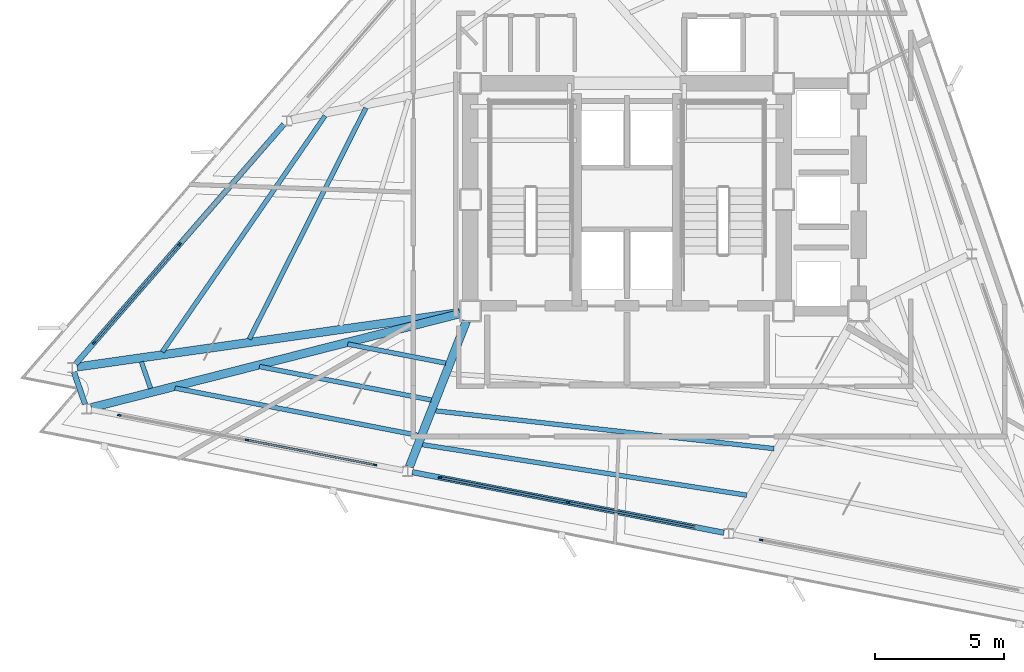
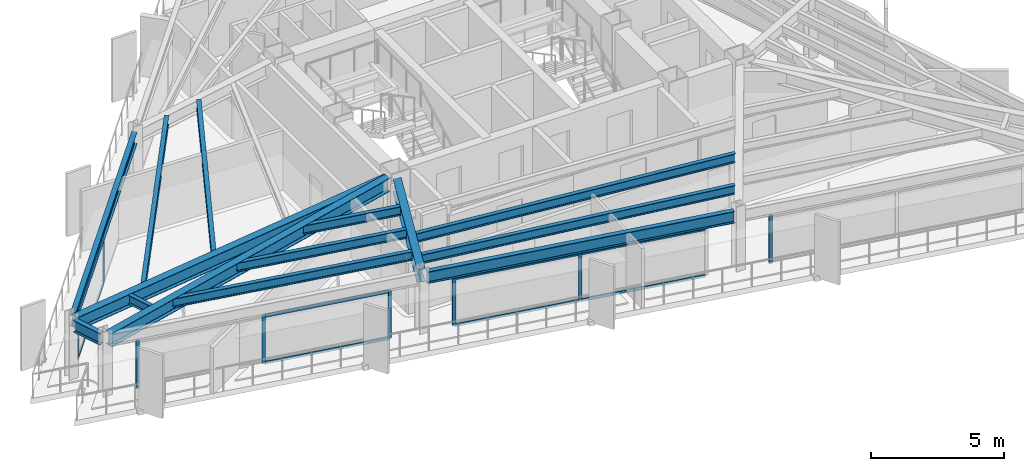
# One storey, part 2 of 13: 16 members, 14 beams, 4 elements without a shape of their own.
"""IFC4 building model written with IfcOpenShell, lengths in metres."""

from ifc_helpers import new_model, si_unit, direction, frame, origin, origin_2d, place, context, subcontext, project, spatial, rectangle, i_section, extrude, material, layer, layer_set, material_profile, profile_set, type_object, element, aggregate, save


model = new_model("IFC4")

# Units and contexts
model_context = context("Model", 3, precision=1e-05, world=origin(), true_north=direction((0.0, 1.0)))
body_context = subcontext(model_context, "Body", "Model", "MODEL_VIEW")
ifc_project = project(units=[si_unit("LENGTHUNIT", "METRE"), si_unit("AREAUNIT", "SQUARE_METRE"), si_unit("VOLUMEUNIT", "CUBIC_METRE"), si_unit("PLANEANGLEUNIT", "RADIAN"), si_unit("MASSUNIT", "GRAM", prefix="KILO")], contexts=[model_context])

# Site, building, storey
site_placement = place(None, origin())
site = spatial("IfcSite", under=ifc_project, at=site_placement, CompositionType="ELEMENT")
building_placement = place(site_placement, origin())
building = spatial("IfcBuilding", under=site, at=building_placement, Name="Rocaltana Carrier Exchange", CompositionType="ELEMENT")
storey_placement = place(building_placement, frame((0.0, 0.0, 162.39990234375)))
storey = spatial("IfcBuildingStorey", under=building, at=storey_placement, Name="L51", CompositionType="ELEMENT", Elevation=162.39990234375)

# Curtain wall, members
ifc_material_1 = material(Name="Aluminium 6063-T6", Category="aluminium")
ifc_layer = layer(ifc_material_1, 0.135009765625)
ifc_layer_set = layer_set([ifc_layer], Name="Aluminium 6063-T6")
curtain_wall_type = type_object("IfcCurtainWallType", Name="Upper-Mid Acoustic Curtain Wall CW-04", PredefinedType="NOTDEFINED", material=ifc_layer_set)
curtain_wall_1_placement = place(storey_placement, origin())
curtain_wall_1 = element("IfcCurtainWall", 1, at=curtain_wall_1_placement, inside=storey, type_object=curtain_wall_type, Name="L51 CW-04 Run CW-L51-F2S3", PredefinedType="NOTDEFINED")
ifc_material_2 = material(Name="Aluminium 6063-T6", Category="aluminium")
ifc_material_profile_1 = material_profile(ifc_material_2, rectangle(XDim=0.06494140625, YDim=0.135009765625, at=origin_2d()), Name="AL-65X135")
ifc_profile_set_1 = profile_set([ifc_material_profile_1], Name="Aluminium 6063-T6")
member_type_1 = type_object("IfcMemberType", Name="CW-04 Mullion AL-65X135", PredefinedType="MULLION", material=ifc_profile_set_1)
member_1_placement = place(storey_placement, frame((-17.279541015625, -1.718505859375, 0.0), z_axis=(0.0, 0.0, 1.0), x_axis=(0.75471173919, -0.656056545375, 0.0)))
member_1 = element("IfcMember", 2, at=member_1_placement, type_object=member_type_1, Name="CW-04 mullion 2", PredefinedType="MULLION", context=body_context, shape_type="SweptSolid", body=[
    extrude(rectangle(XDim=0.06494140625, YDim=0.135009765625, at=origin_2d()), origin(), (0.0, 0.0, 1.0), 2.218017578125),
])
member_2_placement = place(storey_placement, frame((-20.582275390625, -5.517822265625, 0.0), z_axis=(0.0, 0.0, 1.0), x_axis=(0.75471173919, -0.656056545375, 0.0)))
member_2 = element("IfcMember", 3, at=member_2_placement, type_object=member_type_1, Name="CW-04 mullion 3", PredefinedType="MULLION", context=body_context, shape_type="SweptSolid", body=[
    extrude(rectangle(XDim=0.06494140625, YDim=0.135009765625, at=origin_2d()), origin(), (0.0, 0.0, 1.0), 2.218017578125),
])

curtain_wall_2_placement = place(storey_placement, origin())
curtain_wall_2 = element("IfcCurtainWall", 4, at=curtain_wall_2_placement, inside=storey, type_object=curtain_wall_type, Name="L51 CW-04 Run CW-L51-F3S1", PredefinedType="NOTDEFINED")
member_3_placement = place(storey_placement, frame((-19.6162109375, -8.323486328125, 0.0), z_axis=(0.0, 0.0, 1.0), x_axis=(0.190803361378, 0.981628278569, 0.0)))
member_3 = element("IfcMember", 5, at=member_3_placement, type_object=member_type_1, Name="CW-04 mullion 1", PredefinedType="MULLION", context=body_context, shape_type="SweptSolid", body=[
    extrude(rectangle(XDim=0.06494140625, YDim=0.135009765625, at=origin_2d()), origin(), (0.0, 0.0, 1.0), 2.218017578125),
])
member_4_placement = place(storey_placement, frame((-14.674560546875, -9.2841796875, 0.0), z_axis=(0.0, 0.0, 1.0), x_axis=(0.190803361378, 0.981628278569, 0.0)))
member_4 = element("IfcMember", 6, at=member_4_placement, type_object=member_type_1, Name="CW-04 mullion 2", PredefinedType="MULLION", context=body_context, shape_type="SweptSolid", body=[
    extrude(rectangle(XDim=0.06494140625, YDim=0.135009765625, at=origin_2d()), origin(), (0.0, 0.0, 1.0), 2.218017578125),
])
member_5_placement = place(storey_placement, frame((-9.732666015625, -10.24462890625, 0.0), z_axis=(0.0, 0.0, 1.0), x_axis=(0.190803361378, 0.981628278569, 0.0)))
member_5 = element("IfcMember", 7, at=member_5_placement, type_object=member_type_1, Name="CW-04 mullion 3", PredefinedType="MULLION", context=body_context, shape_type="SweptSolid", body=[
    extrude(rectangle(XDim=0.06494140625, YDim=0.135009765625, at=origin_2d()), origin(), (0.0, 0.0, 1.0), 2.218017578125),
])

curtain_wall_3_placement = place(storey_placement, origin())
curtain_wall_3 = element("IfcCurtainWall", 8, at=curtain_wall_3_placement, inside=storey, type_object=curtain_wall_type, Name="L51 CW-04 Run CW-L51-F3S2", PredefinedType="NOTDEFINED")
member_6_placement = place(storey_placement, frame((-7.21484375, -10.734130859375, 0.0), z_axis=(0.0, 0.0, 1.0), x_axis=(0.190814718784, 0.981626070913, 0.0)))
member_6 = element("IfcMember", 9, at=member_6_placement, type_object=member_type_1, Name="CW-04 mullion 1", PredefinedType="MULLION", context=body_context, shape_type="SweptSolid", body=[
    extrude(rectangle(XDim=0.06494140625, YDim=0.135009765625, at=origin_2d()), origin(), (0.0, 0.0, 1.0), 2.218017578125),
])
member_7_placement = place(storey_placement, frame((-2.273193359375, -11.694580078125, 0.0), z_axis=(0.0, 0.0, 1.0), x_axis=(0.190814718784, 0.981626070913, 0.0)))
member_7 = element("IfcMember", 10, at=member_7_placement, type_object=member_type_1, Name="CW-04 mullion 2", PredefinedType="MULLION", context=body_context, shape_type="SweptSolid", body=[
    extrude(rectangle(XDim=0.06494140625, YDim=0.135009765625, at=origin_2d()), origin(), (0.0, 0.0, 1.0), 2.218017578125),
])

# Curtain wall, member
curtain_wall_4_placement = place(storey_placement, origin())
curtain_wall_4 = element("IfcCurtainWall", 11, at=curtain_wall_4_placement, inside=storey, type_object=curtain_wall_type, Name="L51 CW-04 Run CW-L51-F3S3", PredefinedType="NOTDEFINED")
member_8_placement = place(storey_placement, frame((5.186279296875, -13.144775390625, 0.0), z_axis=(0.0, 0.0, 1.0), x_axis=(0.190805209699, 0.981627919301, 0.0)))
member_8 = element("IfcMember", 12, at=member_8_placement, type_object=member_type_1, Name="CW-04 mullion 1", PredefinedType="MULLION", context=body_context, shape_type="SweptSolid", body=[
    extrude(rectangle(XDim=0.06494140625, YDim=0.135009765625, at=origin_2d()), origin(), (0.0, 0.0, 1.0), 2.218017578125),
])
aggregate(curtain_wall_4, [member_8])

# Member
ifc_material_3 = material(Name="Aluminium 6063-T6", Category="aluminium")
ifc_material_profile_2 = material_profile(ifc_material_3, rectangle(XDim=0.06494140625, YDim=0.135009765625, at=origin_2d()), Name="AL-65X135")
ifc_profile_set_2 = profile_set([ifc_material_profile_2], Name="Aluminium 6063-T6")
member_type_2 = type_object("IfcMemberType", Name="CW-04 Transom AL-65X135", PredefinedType="USERDEFINED", material=ifc_profile_set_2)
member_9_placement = place(storey_placement, frame((-17.30078125, -1.742919921875, 0.03271484375), z_axis=(-0.656055850486, -0.754712343243, 0.0), x_axis=(0.754712343243, -0.656055850486, 0.0)))
member_9 = element("IfcMember", 13, at=member_9_placement, type_object=member_type_2, Name="CW-04 transom 2.1", ObjectType="TRANSOM", PredefinedType="USERDEFINED", context=body_context, shape_type="SweptSolid", body=[
    extrude(rectangle(XDim=0.06494140625, YDim=0.135009765625, at=origin_2d()), origin(), (0.0, 0.0, 1.0), 4.968994140625),
])

member_10_placement = place(storey_placement, frame((-17.30078125, -1.742919921875, 2.185546875), z_axis=(-0.656055850486, -0.754712343243, 0.0), x_axis=(0.754712343243, -0.656055850486, 0.0)))
member_10 = element("IfcMember", 14, at=member_10_placement, type_object=member_type_2, Name="CW-04 transom 2.2", ObjectType="TRANSOM", PredefinedType="USERDEFINED", context=body_context, shape_type="SweptSolid", body=[
    extrude(rectangle(XDim=0.06494140625, YDim=0.135009765625, at=origin_2d()), origin(), (0.0, 0.0, 1.0), 4.968994140625),
])

aggregate(curtain_wall_1, [member_1, member_2, member_9, member_10])

member_11_placement = place(storey_placement, frame((-14.642578125, -9.290283203125, 0.03271484375), z_axis=(0.981624593621, -0.1908223184, 0.0), x_axis=(0.1908223184, 0.981624593621, 0.0)))
member_11 = element("IfcMember", 15, at=member_11_placement, type_object=member_type_2, Name="CW-04 transom 2.1", ObjectType="TRANSOM", PredefinedType="USERDEFINED", context=body_context, shape_type="SweptSolid", body=[
    extrude(rectangle(XDim=0.06494140625, YDim=0.135009765625, at=origin_2d()), origin(), (0.0, 0.0, 1.0), 4.96923828125),
])

member_12_placement = place(storey_placement, frame((-14.642578125, -9.290283203125, 2.185546875), z_axis=(0.981624593621, -0.1908223184, 0.0), x_axis=(0.1908223184, 0.981624593621, 0.0)))
member_12 = element("IfcMember", 16, at=member_12_placement, type_object=member_type_2, Name="CW-04 transom 2.2", ObjectType="TRANSOM", PredefinedType="USERDEFINED", context=body_context, shape_type="SweptSolid", body=[
    extrude(rectangle(XDim=0.06494140625, YDim=0.135009765625, at=origin_2d()), origin(), (0.0, 0.0, 1.0), 4.96923828125),
])

aggregate(curtain_wall_2, [member_3, member_4, member_5, member_11, member_12])

member_13_placement = place(storey_placement, frame((-7.18310546875, -10.740234375, 0.03271484375), z_axis=(0.981624593621, -0.1908223184, 0.0), x_axis=(0.1908223184, 0.981624593621, 0.0)))
member_13 = element("IfcMember", 17, at=member_13_placement, type_object=member_type_2, Name="CW-04 transom 1.1", ObjectType="TRANSOM", PredefinedType="USERDEFINED", context=body_context, shape_type="SweptSolid", body=[
    extrude(rectangle(XDim=0.06494140625, YDim=0.135009765625, at=origin_2d()), origin(), (0.0, 0.0, 1.0), 4.96923828125),
])

member_14_placement = place(storey_placement, frame((-7.18310546875, -10.740234375, 2.185546875), z_axis=(0.981624593621, -0.1908223184, 0.0), x_axis=(0.1908223184, 0.981624593621, 0.0)))
member_14 = element("IfcMember", 18, at=member_14_placement, type_object=member_type_2, Name="CW-04 transom 1.2", ObjectType="TRANSOM", PredefinedType="USERDEFINED", context=body_context, shape_type="SweptSolid", body=[
    extrude(rectangle(XDim=0.06494140625, YDim=0.135009765625, at=origin_2d()), origin(), (0.0, 0.0, 1.0), 4.96923828125),
])

member_15_placement = place(storey_placement, frame((-2.2412109375, -11.700927734375, 0.03271484375), z_axis=(0.9816228045, -0.190831521732, 0.0), x_axis=(0.190831521732, 0.9816228045, 0.0)))
member_15 = element("IfcMember", 19, at=member_15_placement, type_object=member_type_2, Name="CW-04 transom 2.1", ObjectType="TRANSOM", PredefinedType="USERDEFINED", context=body_context, shape_type="SweptSolid", body=[
    extrude(rectangle(XDim=0.06494140625, YDim=0.135009765625, at=origin_2d()), origin(), (0.0, 0.0, 1.0), 4.968994140625),
])

member_16_placement = place(storey_placement, frame((-2.2412109375, -11.700927734375, 2.185546875), z_axis=(0.9816228045, -0.190831521732, 0.0), x_axis=(0.190831521732, 0.9816228045, 0.0)))
member_16 = element("IfcMember", 20, at=member_16_placement, type_object=member_type_2, Name="CW-04 transom 2.2", ObjectType="TRANSOM", PredefinedType="USERDEFINED", context=body_context, shape_type="SweptSolid", body=[
    extrude(rectangle(XDim=0.06494140625, YDim=0.135009765625, at=origin_2d()), origin(), (0.0, 0.0, 1.0), 4.968994140625),
])

aggregate(curtain_wall_3, [member_6, member_7, member_13, member_14, member_15, member_16])

# Beams
ifc_material_4 = material(Name="Steel S355", Category="steel")
ifc_material_profile_3 = material_profile(ifc_material_4, i_section(OverallWidth=0.179931640625, OverallDepth=0.4130859375, WebThickness=0.009765625, FlangeThickness=0.01611328125, FilletRadius=0.012939453125, at=origin_2d()), Name="W16X50")
ifc_profile_set_3 = profile_set([ifc_material_profile_3], Name="Steel S355")
beam_type_1 = type_object("IfcBeamType", Name="Floor Joist W16X50", PredefinedType="JOIST", material=ifc_profile_set_3)
beam_1_placement = place(storey_placement, frame((-10.087890625, 3.548095703125, 2.58154296875), z_axis=(-0.449993841854, -0.893031658058, 0.0), x_axis=(0.893031658058, -0.449993841854, 0.0)))
element("IfcBeam", 21, at=beam_1_placement, inside=storey, type_object=beam_type_1, Name="FJ-L51-07-2", PredefinedType="JOIST", context=body_context, shape_type="SweptSolid", body=[
    extrude(i_section(OverallWidth=0.179931640625, OverallDepth=0.4130859375, WebThickness=0.009765625, FlangeThickness=0.01611328125, FilletRadius=0.012939453125, at=origin_2d()), origin(), (0.0, 0.0, 1.0), 10.0029296875),
])
beam_2_placement = place(storey_placement, frame((-11.665283203125, 3.239501953125, 2.58154296875), z_axis=(-0.567777260515, -0.823182229183, 0.0), x_axis=(0.823182229183, -0.567777260515, 0.0)))
element("IfcBeam", 22, at=beam_2_placement, inside=storey, type_object=beam_type_1, Name="FJ-L51-07-3", PredefinedType="JOIST", context=body_context, shape_type="SweptSolid", body=[
    extrude(i_section(OverallWidth=0.179931640625, OverallDepth=0.4130859375, WebThickness=0.009765625, FlangeThickness=0.01611328125, FilletRadius=0.012939453125, at=origin_2d()), origin(), (0.0, 0.0, 1.0), 11.073974609375),
])
beam_3_placement = place(storey_placement, frame((-18.75927734375, -6.26171875, 2.58154296875), z_axis=(0.32558209601, -0.945513775023, 0.0), x_axis=(0.945513775023, 0.32558209601, 0.0)))
element("IfcBeam", 23, at=beam_3_placement, inside=storey, type_object=beam_type_1, Name="FJ-L51-08-3", PredefinedType="JOIST", context=body_context, shape_type="SweptSolid", body=[
    extrude(i_section(OverallWidth=0.179931640625, OverallDepth=0.4130859375, WebThickness=0.009765625, FlangeThickness=0.01611328125, FilletRadius=0.012939453125, at=origin_2d()), origin(), (0.0, 0.0, 1.0), 1.08642578125),
])
beam_4_placement = place(storey_placement, frame((-10.7890625, -5.576904296875, 2.58154296875), z_axis=(0.981632516302, -0.190781558172, 0.0), x_axis=(0.190781558172, 0.981632516302, 0.0)))
element("IfcBeam", 24, at=beam_4_placement, inside=storey, type_object=beam_type_1, Name="FJ-L51-09-1", PredefinedType="JOIST", context=body_context, shape_type="SweptSolid", body=[
    extrude(i_section(OverallWidth=0.179931640625, OverallDepth=0.4130859375, WebThickness=0.009765625, FlangeThickness=0.01611328125, FilletRadius=0.012939453125, at=origin_2d()), origin(), (0.0, 0.0, 1.0), 3.85693359375),
])
beam_5_placement = place(storey_placement, frame((-14.198974609375, -6.44580078125, 2.58154296875), z_axis=(0.981623092211, -0.190830041758, 0.0), x_axis=(0.190830041758, 0.981623092211, 0.0)))
element("IfcBeam", 25, at=beam_5_placement, inside=storey, type_object=beam_type_1, Name="FJ-L51-09-2", PredefinedType="JOIST", context=body_context, shape_type="SweptSolid", body=[
    extrude(i_section(OverallWidth=0.179931640625, OverallDepth=0.4130859375, WebThickness=0.009765625, FlangeThickness=0.01611328125, FilletRadius=0.012939453125, at=origin_2d()), origin(), (0.0, 0.0, 1.0), 6.7626953125),
])
beam_6_placement = place(storey_placement, frame((-17.46044921875, -7.27734375, 2.58154296875), z_axis=(0.981630034489, -0.190794327456, 0.0), x_axis=(0.190794327456, 0.981630034489, 0.0)))
element("IfcBeam", 26, at=beam_6_placement, inside=storey, type_object=beam_type_1, Name="FJ-L51-09-3", PredefinedType="JOIST", context=body_context, shape_type="SweptSolid", body=[
    extrude(i_section(OverallWidth=0.179931640625, OverallDepth=0.4130859375, WebThickness=0.009765625, FlangeThickness=0.01611328125, FilletRadius=0.012939453125, at=origin_2d()), origin(), (0.0, 0.0, 1.0), 9.5419921875),
])
beam_7_placement = place(storey_placement, frame((-7.397705078125, -8.15478515625, 2.58154296875), z_axis=(0.993827043541, -0.110940558529, 0.0), x_axis=(0.110940558529, 0.993827043541, 0.0)))
element("IfcBeam", 27, at=beam_7_placement, inside=storey, type_object=beam_type_1, Name="FJ-L51-10-2", PredefinedType="JOIST", context=body_context, shape_type="SweptSolid", body=[
    extrude(i_section(OverallWidth=0.179931640625, OverallDepth=0.4130859375, WebThickness=0.009765625, FlangeThickness=0.01611328125, FilletRadius=0.012939453125, at=origin_2d()), origin(), (0.0, 0.0, 1.0), 13.159912109375),
])
beam_8_placement = place(storey_placement, frame((-7.90771484375, -9.461181640625, 2.58154296875), z_axis=(0.988080457821, -0.153938328148, 0.0), x_axis=(0.153938328148, 0.988080457821, 0.0)))
element("IfcBeam", 28, at=beam_8_placement, inside=storey, type_object=beam_type_1, Name="FJ-L51-10-3", PredefinedType="JOIST", context=body_context, shape_type="SweptSolid", body=[
    extrude(i_section(OverallWidth=0.179931640625, OverallDepth=0.4130859375, WebThickness=0.009765625, FlangeThickness=0.01611328125, FilletRadius=0.012939453125, at=origin_2d()), origin(), (0.0, 0.0, 1.0), 12.68603515625),
])
ifc_material_5 = material(Name="Steel S355", Category="steel")
ifc_material_profile_4 = material_profile(ifc_material_5, i_section(OverallWidth=0.323974609375, OverallDepth=0.611083984375, WebThickness=0.0126953125, FlangeThickness=0.01904296875, FilletRadius=0.01611328125, at=origin_2d()), Name="W24X104")
ifc_profile_set_4 = profile_set([ifc_material_profile_4], Name="Steel S355")
beam_type_2 = type_object("IfcBeamType", Name="Radial Girder W24X104", PredefinedType="BEAM", material=ifc_profile_set_4)
beam_9_placement = place(storey_placement, frame((-6.462890625, -4.358642578125, 2.482666015625), z_axis=(-0.990042513649, -0.140768679638, 0.0), x_axis=(0.140768679638, -0.990042513649, 0.0)))
element("IfcBeam", 29, at=beam_9_placement, inside=storey, type_object=beam_type_2, Name="RG-L51-08", PredefinedType="BEAM", context=body_context, shape_type="SweptSolid", body=[
    extrude(i_section(OverallWidth=0.323974609375, OverallDepth=0.611083984375, WebThickness=0.0126953125, FlangeThickness=0.01904296875, FilletRadius=0.01611328125, at=origin_2d()), origin(), (0.0, 0.0, 1.0), 14.92578125),
])
beam_10_placement = place(storey_placement, frame((-6.4541015625, -4.403076171875, 2.482666015625), z_axis=(-0.969014301438, -0.247004622644, 0.0), x_axis=(0.247004622644, -0.969014301438, 0.0)))
element("IfcBeam", 30, at=beam_10_placement, inside=storey, type_object=beam_type_2, Name="RG-L51-09", PredefinedType="BEAM", context=body_context, shape_type="SweptSolid", body=[
    extrude(i_section(OverallWidth=0.323974609375, OverallDepth=0.611083984375, WebThickness=0.0126953125, FlangeThickness=0.01904296875, FilletRadius=0.01611328125, at=origin_2d()), origin(), (0.0, 0.0, 1.0), 14.696533203125),
])
beam_11_placement = place(storey_placement, frame((-6.2021484375, -4.688232421875, 2.482666015625), z_axis=(-0.364639954238, -0.93114859382, 0.0), x_axis=(0.93114859382, -0.364639954238, 0.0)))
element("IfcBeam", 31, at=beam_11_placement, inside=storey, type_object=beam_type_2, Name="RG-L51-10", PredefinedType="BEAM", context=body_context, shape_type="SweptSolid", body=[
    extrude(i_section(OverallWidth=0.323974609375, OverallDepth=0.611083984375, WebThickness=0.0126953125, FlangeThickness=0.01904296875, FilletRadius=0.01611328125, at=origin_2d()), origin(), (0.0, 0.0, 1.0), 6.044677734375),
])
ifc_material_6 = material(Name="Steel S355", Category="steel")
ifc_material_profile_5 = material_profile(ifc_material_6, i_section(OverallWidth=0.2119140625, OverallDepth=0.5439453125, WebThickness=0.01318359375, FlangeThickness=0.021240234375, FilletRadius=0.014892578125, at=origin_2d()), Name="W21X83")
ifc_profile_set_5 = profile_set([ifc_material_profile_5], Name="Steel S355")
beam_type_3 = type_object("IfcBeamType", Name="Spandrel Edge Beam W21X83", PredefinedType="SPANDREL", material=ifc_profile_set_5)
beam_12_placement = place(storey_placement, frame((-13.257080078125, 2.90869140625, 2.51611328125), z_axis=(-0.65606829307, -0.754701526982, 0.0), x_axis=(0.754701526982, -0.65606829307, 0.0)))
element("IfcBeam", 32, at=beam_12_placement, inside=storey, type_object=beam_type_3, Name="SP-L51-07", PredefinedType="SPANDREL", context=body_context, shape_type="SweptSolid", body=[
    extrude(i_section(OverallWidth=0.2119140625, OverallDepth=0.5439453125, WebThickness=0.01318359375, FlangeThickness=0.021240234375, FilletRadius=0.014892578125, at=origin_2d()), origin(), (0.0, 0.0, 1.0), 12.26220703125),
])
beam_13_placement = place(storey_placement, frame((-21.36328125, -6.6611328125, 2.51611328125), z_axis=(0.325521108858, -0.945534773389, 0.0), x_axis=(0.945534773389, 0.325521108858, 0.0)))
element("IfcBeam", 33, at=beam_13_placement, inside=storey, type_object=beam_type_3, Name="SP-L51-08", PredefinedType="SPANDREL", context=body_context, shape_type="SweptSolid", body=[
    extrude(i_section(OverallWidth=0.2119140625, OverallDepth=0.5439453125, WebThickness=0.01318359375, FlangeThickness=0.021240234375, FilletRadius=0.014892578125, at=origin_2d()), origin(), (0.0, 0.0, 1.0), 1.31396484375),
])
beam_14_placement = place(storey_placement, frame((-8.291748046875, -10.52490234375, 2.51611328125), z_axis=(0.98162989356, -0.190795052531, 0.0), x_axis=(0.190795052531, 0.98162989356, 0.0)))
element("IfcBeam", 34, at=beam_14_placement, inside=storey, type_object=beam_type_3, Name="SP-L51-10", PredefinedType="SPANDREL", context=body_context, shape_type="SweptSolid", body=[
    extrude(i_section(OverallWidth=0.2119140625, OverallDepth=0.5439453125, WebThickness=0.01318359375, FlangeThickness=0.021240234375, FilletRadius=0.014892578125, at=origin_2d()), origin(), (0.0, 0.0, 1.0), 12.262451171875),
])

save(model, "model.ifc")
